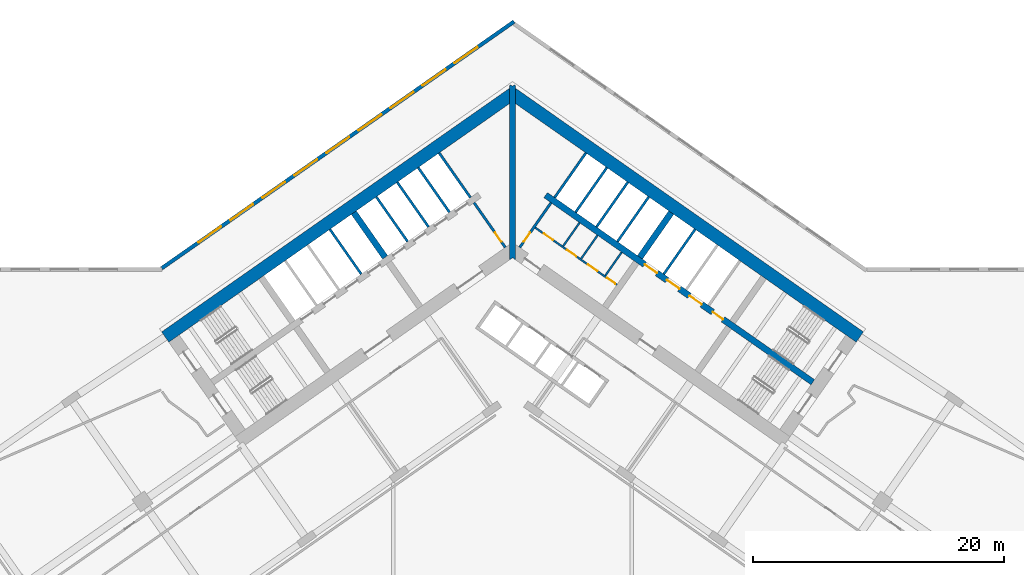
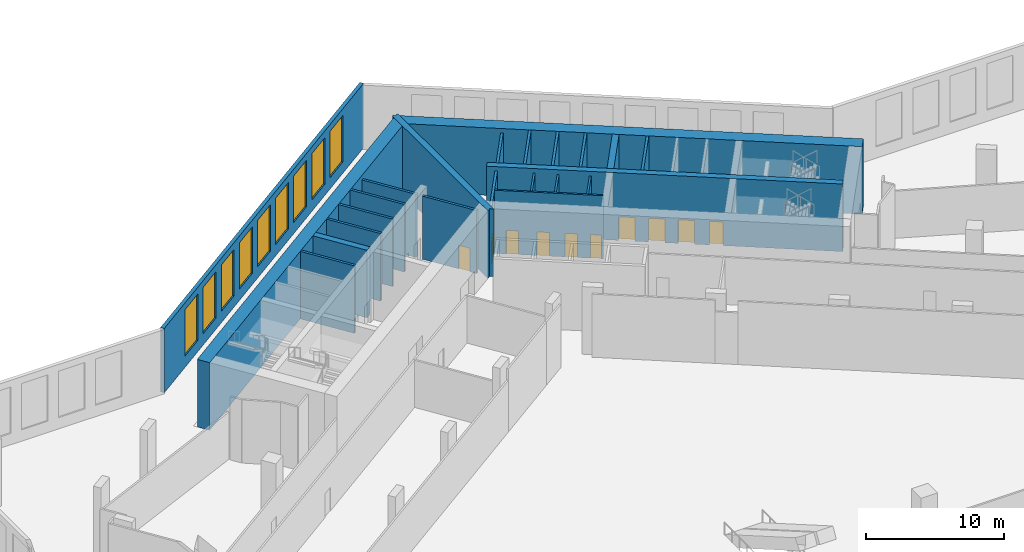
# One storey, part 11 of 25: 23 walls, 10 doors, 9 windows, 19 openings.
"""IFC4 building model written with IfcOpenShell, lengths in metres."""

from ifc_helpers import new_model, si_unit, direction, frame, frame_2d, origin, place, context, subcontext, project, spatial, polyline, rectangle, outline, extrude, material, layer, layer_set, type_object, element, fill, save


model = new_model("IFC4")

# Units and contexts
model_context = context("Model", 3, precision=1e-05, world=origin(), true_north=direction((0.0, 1.0)))
body_context = subcontext(model_context, "Body", "Model", "MODEL_VIEW")
ifc_project = project(units=[si_unit("LENGTHUNIT", "METRE"), si_unit("AREAUNIT", "SQUARE_METRE"), si_unit("VOLUMEUNIT", "CUBIC_METRE"), si_unit("PLANEANGLEUNIT", "RADIAN"), si_unit("MASSUNIT", "GRAM", prefix="KILO")], contexts=[model_context])

# Site, building, storey
site_placement = place(None, origin())
site = spatial("IfcSite", under=ifc_project, at=site_placement, CompositionType="ELEMENT")
building_placement = place(site_placement, origin())
building = spatial("IfcBuilding", under=site, at=building_placement, Name="Tel Ilan Convention Tower", CompositionType="ELEMENT")
storey_placement = place(building_placement, frame((0.0, 0.0, 26.0)))
storey = spatial("IfcBuildingStorey", under=building, at=storey_placement, Name="L03", CompositionType="ELEMENT", Elevation=26.0)

# Wall, openings, doors
ifc_material_1 = material(Name="Gypsum Plasterboard on Steel Stud", Category="steel")
ifc_layer_1 = layer(ifc_material_1, 0.14990234375)
ifc_layer_set_1 = layer_set([ifc_layer_1], Name="Core Room Partition Wall 150 mm EI 60")
wall_type_1 = type_object("IfcWallType", Name="Core Room Partition Wall 150 mm EI 60", PredefinedType="PARTITIONING", material=ifc_layer_set_1)
wall_1_placement = place(storey_placement, frame((1.802490234375, 1.179443359375, 0.0), z_axis=(0.0, 0.0, 1.0), x_axis=(0.819142461705, -0.573590121456, 0.0)))
wall_1 = element("IfcWall", 1, at=wall_1_placement, inside=storey, type_object=wall_type_1, Name="L03 core wall wc-h1", PredefinedType="PARTITIONING", context=body_context, shape_type="SweptSolid", body=[
    extrude(rectangle(XDim=7.949951171875, YDim=0.14990234375, at=frame_2d((3.97509765625, 0.0))), origin(), (0.0, 0.0, 1.0), 5.60009765625),
])
opening_1_placement = place(wall_1_placement, frame((0.85009765625, 0.0, 0.0)))
opening_1 = element("IfcOpeningElement", 2, at=opening_1_placement, cuts=wall_1, Name="Opening CD0611", PredefinedType="OPENING", context=body_context, shape_type="SweptSolid", body=[
    extrude(rectangle(XDim=0.89990234375, YDim=2.10009765625, at=frame_2d((0.449951171875, 1.050048828125))), frame((0.0, 0.0849609375, 0.0), z_axis=(0.0, -1.0, 0.0), x_axis=(1.0, 0.0, 0.0)), (0.0, 0.0, 1.0), 0.169921875),
])
opening_2_placement = place(wall_1_placement, frame((3.10009765625, 0.0, 0.0)))
opening_2 = element("IfcOpeningElement", 3, at=opening_2_placement, cuts=wall_1, Name="Opening CD0608", PredefinedType="OPENING", context=body_context, shape_type="SweptSolid", body=[
    extrude(rectangle(XDim=0.89990234375, YDim=2.10009765625, at=frame_2d((0.449951171875, 1.050048828125))), frame((0.0, 0.0849609375, 0.0), z_axis=(0.0, -1.0, 0.0), x_axis=(1.0, 0.0, 0.0)), (0.0, 0.0, 1.0), 0.169921875),
])
opening_3_placement = place(wall_1_placement, frame((5.14990234375, 0.0, 0.0)))
opening_3 = element("IfcOpeningElement", 4, at=opening_3_placement, cuts=wall_1, Name="Opening CD0610", PredefinedType="OPENING", context=body_context, shape_type="SweptSolid", body=[
    extrude(rectangle(XDim=0.89990234375, YDim=2.10009765625, at=frame_2d((0.449951171875, 1.050048828125))), frame((0.0, 0.0849609375, 0.0), z_axis=(0.0, -1.0, 0.0), x_axis=(1.0, 0.0, 0.0)), (0.0, 0.0, 1.0), 0.169921875),
])
opening_4_placement = place(wall_1_placement, frame((7.0, 0.0, 0.0)))
opening_4 = element("IfcOpeningElement", 5, at=opening_4_placement, cuts=wall_1, Name="Opening CD0609", PredefinedType="OPENING", context=body_context, shape_type="SweptSolid", body=[
    extrude(rectangle(XDim=0.800048828125, YDim=2.10009765625, at=frame_2d((0.39990234375, 1.050048828125))), frame((0.0, 0.0849609375, 0.0), z_axis=(0.0, -1.0, 0.0), x_axis=(1.0, 0.0, 0.0)), (0.0, 0.0, 1.0), 0.169921875),
])
ifc_material_2 = material(Name="Galvanised Steel Door Leaf", Category="steel")
door_type_1 = type_object("IfcDoorType", Name="Store Door 800 x 2100 FD60", OperationType="NOTDEFINED", PredefinedType="DOOR", material=ifc_material_2)
door_1_placement = place(opening_4_placement, origin())
door_1 = element("IfcDoor", 6, at=door_1_placement, inside=storey, type_object=door_type_1, Name="Cleaner's store door", OperationType="SINGLE_SWING_RIGHT", OverallHeight=2.10009765625, OverallWidth=0.800048828125, PredefinedType="DOOR", context=body_context, shape_type="SweptSolid", body=[
    extrude(rectangle(XDim=0.800048828125, YDim=2.10009765625, at=frame_2d((0.39990234375, 1.050048828125))), frame((0.0, 0.02490234375, 0.0), z_axis=(0.0, -1.0, 0.0), x_axis=(1.0, 0.0, 0.0)), (0.0, 0.0, 1.0), 0.050048828125),
])
fill(opening_4, door_1)
ifc_material_3 = material(Name="Laminated Timber Door Leaf", Category="wood")
door_type_2 = type_object("IfcDoorType", Name="Toilet Door 900 x 2100 FD30S", OperationType="NOTDEFINED", PredefinedType="DOOR", material=ifc_material_3)
door_2_placement = place(opening_1_placement, origin())
door_2 = element("IfcDoor", 7, at=door_2_placement, inside=storey, type_object=door_type_2, Name="Women's WC door", OperationType="SINGLE_SWING_RIGHT", OverallHeight=2.10009765625, OverallWidth=0.89990234375, PredefinedType="DOOR", context=body_context, shape_type="SweptSolid", body=[
    extrude(rectangle(XDim=0.89990234375, YDim=2.10009765625, at=frame_2d((0.449951171875, 1.050048828125))), frame((0.0, 0.02490234375, 0.0), z_axis=(0.0, -1.0, 0.0), x_axis=(1.0, 0.0, 0.0)), (0.0, 0.0, 1.0), 0.050048828125),
])
fill(opening_1, door_2)
door_3_placement = place(opening_2_placement, origin())
door_3 = element("IfcDoor", 8, at=door_3_placement, inside=storey, type_object=door_type_2, Name="Accessible WC door", OperationType="SINGLE_SWING_RIGHT", OverallHeight=2.10009765625, OverallWidth=0.89990234375, PredefinedType="DOOR", context=body_context, shape_type="SweptSolid", body=[
    extrude(rectangle(XDim=0.89990234375, YDim=2.10009765625, at=frame_2d((0.449951171875, 1.050048828125))), frame((0.0, 0.02490234375, 0.0), z_axis=(0.0, -1.0, 0.0), x_axis=(1.0, 0.0, 0.0)), (0.0, 0.0, 1.0), 0.050048828125),
])
fill(opening_2, door_3)
door_4_placement = place(opening_3_placement, origin())
door_4 = element("IfcDoor", 9, at=door_4_placement, inside=storey, type_object=door_type_2, Name="Men's WC door", OperationType="SINGLE_SWING_RIGHT", OverallHeight=2.10009765625, OverallWidth=0.89990234375, PredefinedType="DOOR", context=body_context, shape_type="SweptSolid", body=[
    extrude(rectangle(XDim=0.89990234375, YDim=2.10009765625, at=frame_2d((0.449951171875, 1.050048828125))), frame((0.0, 0.02490234375, 0.0), z_axis=(0.0, -1.0, 0.0), x_axis=(1.0, 0.0, 0.0)), (0.0, 0.0, 1.0), 0.050048828125),
])
fill(opening_3, door_4)

# Walls
for number, where, z_axis, x_axis, name in (
    (10, (4.03662109375, -0.29345703125, 0.0), (0.0, 0.0, 1.0), (0.573599181114, 0.819136117764, 0.0), "L03 core wall wc-v0"),
    (11, (5.47021484375, -1.297119140625, 0.0), (0.0, 0.0, 1.0), (0.573599181114, 0.819136117764, 0.0), "L03 core wall wc-v1"),
    (12, (7.395263671875, -2.64501953125, 0.0), (0.0, 0.0, 1.0), (0.573599181114, 0.819136117764, 0.0), "L03 core wall wc-v2"),
):
    element("IfcWall", number, at=place(storey_placement, frame(where, z_axis=z_axis, x_axis=x_axis)), inside=storey, type_object=wall_type_1, Name=name, PredefinedType="PARTITIONING", context=body_context, shape_type="SweptSolid", body=[
        extrude(rectangle(XDim=2.27490234375, YDim=0.14990234375, at=frame_2d((1.137451171875, 0.0))), origin(), (0.0, 0.0, 1.0), 5.60009765625),
    ])

# Wall, opening, door
ifc_material_4 = material(Name="Concrete C30/37", Category="concrete")
ifc_layer_2 = layer(ifc_material_4, 0.199951171875)
ifc_layer_set_2 = layer_set([ifc_layer_2], Name="Core Service Room Wall 200 mm C30/37")
wall_type_2 = type_object("IfcWallType", Name="Core Service Room Wall 200 mm C30/37", PredefinedType="SOLIDWALL", material=ifc_layer_set_2)
wall_2_placement = place(storey_placement, frame((-0.573486328125, -0.401611328125, 0.0), z_axis=(0.0, 0.0, 1.0), x_axis=(-0.57356780395, 0.819158088694, 0.0)))
wall_2 = element("IfcWall", 13, at=wall_2_placement, inside=storey, type_object=wall_type_2, Name="L03 core wall apex-W", PredefinedType="SOLIDWALL", context=body_context, shape_type="SweptSolid", body=[
    extrude(rectangle(XDim=4.35009765625, YDim=0.199951171875, at=frame_2d((2.175048828125, 0.0))), origin(), (0.0, 0.0, 1.0), 5.60009765625),
])
opening_5_placement = place(wall_2_placement, frame((0.550048828125, 0.0, 0.0)))
opening_5 = element("IfcOpeningElement", 14, at=opening_5_placement, cuts=wall_2, Name="Opening CD0602", PredefinedType="OPENING", context=body_context, shape_type="SweptSolid", body=[
    extrude(rectangle(XDim=0.89990234375, YDim=2.10009765625, at=frame_2d((0.449951171875, 1.050048828125))), frame((0.0, 0.10986328125, 0.0), z_axis=(0.0, -1.0, 0.0), x_axis=(1.0, 0.0, 0.0)), (0.0, 0.0, 1.0), 0.219970703125),
])
ifc_material_5 = material(Name="Galvanised Steel Door Leaf", Category="steel")
door_type_3 = type_object("IfcDoorType", Name="Service Room Door 900 x 2100 FD60", OperationType="NOTDEFINED", PredefinedType="DOOR", material=ifc_material_5)
door_5_placement = place(opening_5_placement, origin())
door_5 = element("IfcDoor", 15, at=door_5_placement, inside=storey, type_object=door_type_3, Name="Telecom Room door", OperationType="SINGLE_SWING_RIGHT", OverallHeight=2.10009765625, OverallWidth=0.89990234375, PredefinedType="DOOR", context=body_context, shape_type="SweptSolid", body=[
    extrude(rectangle(XDim=0.89990234375, YDim=2.10009765625, at=frame_2d((0.449951171875, 1.050048828125))), frame((0.0, 0.02490234375, 0.0), z_axis=(0.0, -1.0, 0.0), x_axis=(1.0, 0.0, 0.0)), (0.0, 0.0, 1.0), 0.050048828125),
])
fill(opening_5, door_5)

# Wall
wall_3_placement = place(storey_placement, frame((-3.355224609375, 3.5712890625, 0.0), z_axis=(0.0, 0.0, 1.0), x_axis=(-0.57356780395, 0.819158088694, 0.0)))
element("IfcWall", 16, at=wall_3_placement, inside=storey, type_object=wall_type_2, Name="L03 core wall apex-W-b", PredefinedType="SOLIDWALL", context=body_context, shape_type="SweptSolid", body=[
    extrude(rectangle(XDim=4.35009765625, YDim=0.199951171875, at=frame_2d((2.175048828125, 0.0))), origin(), (0.0, 0.0, 1.0), 5.60009765625),
])

# Wall, opening, door
wall_4_placement = place(storey_placement, frame((0.573486328125, -0.401611328125, 0.0), z_axis=(0.0, 0.0, 1.0), x_axis=(0.57356780395, 0.819158088694, 0.0)))
wall_4 = element("IfcWall", 17, at=wall_4_placement, inside=storey, type_object=wall_type_2, Name="L03 core wall apex-E", PredefinedType="SOLIDWALL", context=body_context, shape_type="SweptSolid", body=[
    extrude(rectangle(XDim=4.35009765625, YDim=0.199951171875, at=frame_2d((2.175048828125, 0.0))), origin(), (0.0, 0.0, 1.0), 5.60009765625),
])
opening_6_placement = place(wall_4_placement, frame((0.550048828125, 0.0, 0.0)))
opening_6 = element("IfcOpeningElement", 18, at=opening_6_placement, cuts=wall_4, Name="Opening CD0601", PredefinedType="OPENING", context=body_context, shape_type="SweptSolid", body=[
    extrude(rectangle(XDim=0.89990234375, YDim=2.10009765625, at=frame_2d((0.449951171875, 1.050048828125))), frame((0.0, 0.10986328125, 0.0), z_axis=(0.0, -1.0, 0.0), x_axis=(1.0, 0.0, 0.0)), (0.0, 0.0, 1.0), 0.219970703125),
])
door_6_placement = place(opening_6_placement, origin())
door_6 = element("IfcDoor", 19, at=door_6_placement, inside=storey, type_object=door_type_3, Name="Data Room door", OperationType="SINGLE_SWING_RIGHT", OverallHeight=2.10009765625, OverallWidth=0.89990234375, PredefinedType="DOOR", context=body_context, shape_type="SweptSolid", body=[
    extrude(rectangle(XDim=0.89990234375, YDim=2.10009765625, at=frame_2d((0.449951171875, 1.050048828125))), frame((0.0, 0.02490234375, 0.0), z_axis=(0.0, -1.0, 0.0), x_axis=(1.0, 0.0, 0.0)), (0.0, 0.0, 1.0), 0.050048828125),
])
fill(opening_6, door_6)

# Walls
wall_5_placement = place(storey_placement, frame((3.355224609375, 3.5712890625, 0.0), z_axis=(0.0, 0.0, 1.0), x_axis=(0.57356780395, 0.819158088694, 0.0)))
element("IfcWall", 20, at=wall_5_placement, inside=storey, type_object=wall_type_2, Name="L03 core wall apex-E-b", PredefinedType="SOLIDWALL", context=body_context, shape_type="SweptSolid", body=[
    extrude(rectangle(XDim=4.35009765625, YDim=0.199951171875, at=frame_2d((2.175048828125, 0.0))), origin(), (0.0, 0.0, 1.0), 5.60009765625),
])
ifc_material_6 = material(Name="Concrete C60/75", Category="concrete")
ifc_layer_3 = layer(ifc_material_6, 1.0)
ifc_layer_set_3 = layer_set([ifc_layer_3], Name="Core Shear Wall 1000 mm C60/75")
wall_type_3 = type_object("IfcWallType", Name="Core Shear Wall 1000 mm C60/75", PredefinedType="SHEAR", material=ifc_layer_set_3)
wall_6_placement = place(storey_placement, frame((0.036865234375, 11.8671875, 0.0), z_axis=(0.0, 0.0, 1.0), x_axis=(-0.819155306259, -0.573571777746, 0.0)))
element("IfcWall", 21, at=wall_6_placement, inside=storey, type_object=wall_type_3, Name="L03 core wall W-back", PredefinedType="SHEAR", context=body_context, shape_type="SweptSolid", body=[
    extrude(outline(polyline([(33.8369140625, 0.5), (0.7001953125, 0.499755859375), (0.0, -0.5), (33.8369140625, -0.5), (33.8369140625, 0.5)])), origin(), (0.0, 0.0, 1.0), 6.0),
])
wall_7_placement = place(storey_placement, frame((-0.036865234375, 11.8671875, 0.0), z_axis=(0.0, 0.0, 1.0), x_axis=(0.819155306259, -0.573571777746, 0.0)))
element("IfcWall", 22, at=wall_7_placement, inside=storey, type_object=wall_type_3, Name="L03 core wall E-back", PredefinedType="SHEAR", context=body_context, shape_type="SweptSolid", body=[
    extrude(outline(polyline([(33.8369140625, 0.5), (0.0, 0.5), (0.7001953125, -0.499755859375), (33.8369140625, -0.5), (33.8369140625, 0.5)])), origin(), (0.0, 0.0, 1.0), 6.0),
])
ifc_material_7 = material(Name="Concrete C60/75", Category="concrete")
ifc_layer_4 = layer(ifc_material_7, 0.5)
ifc_layer_set_4 = layer_set([ifc_layer_4], Name="Core Shear Wall 500 mm C60/75")
wall_type_4 = type_object("IfcWallType", Name="Core Shear Wall 500 mm C60/75", PredefinedType="SHEAR", material=ifc_layer_set_4)
for number, where, z_axis, x_axis, name in (
    (23, (-10.154296875, -1.189208984375, 0.0), (0.0, 0.0, 1.0), (-0.573594173421, 0.819139624372, 0.0), "L03 core wall W-cross1-2"),
    (24, (10.154296875, -1.189208984375, 0.0), (0.0, 0.0, 1.0), (0.573594173421, 0.819139624372, 0.0), "L03 core wall E-cross1-2"),
):
    element("IfcWall", number, at=place(storey_placement, frame(where, z_axis=z_axis, x_axis=x_axis)), inside=storey, type_object=wall_type_4, Name=name, PredefinedType="SHEAR", context=body_context, shape_type="SweptSolid", body=[
        extrude(outline(polyline([(4.349853515625, -0.25), (4.349853515625, 0.25), (-0.000244140625, 0.25), (-0.000244140625, -0.25), (4.349853515625, -0.25)])), origin(), (0.0, 0.0, 1.0), 6.0),
    ])

# Wall, openings, doors
wall_8_placement = place(storey_placement, frame((2.638427734375, 3.76806640625, 0.0), z_axis=(0.0, 0.0, 1.0), x_axis=(0.819148977158, -0.573580816643, 0.0)))
wall_8 = element("IfcWall", 25, at=wall_8_placement, inside=storey, type_object=wall_type_4, Name="L03 core wall E-spine", PredefinedType="SHEAR", context=body_context, shape_type="SweptSolid", body=[
    extrude(outline(polyline([(0.0, 0.25), (0.0, -0.25), (26.0, -0.249755859375), (26.0, 0.250244140625), (0.0, 0.25)])), origin(), (0.0, 0.0, 1.0), 6.0),
])
opening_7_placement = place(wall_8_placement, frame((9.637451171875, 0.0, 0.0)))
opening_7 = element("IfcOpeningElement", 26, at=opening_7_placement, cuts=wall_8, Name="Opening LD0601", PredefinedType="OPENING", context=body_context, shape_type="SweptSolid", body=[
    extrude(rectangle(XDim=1.199951171875, YDim=2.10009765625, at=frame_2d((0.60009765625, 1.050048828125))), frame((0.0, 0.260009765625, 0.0), z_axis=(0.0, -1.0, 0.0), x_axis=(1.0, 0.0, 0.0)), (0.0, 0.0, 1.0), 0.52001953125),
])
opening_8_placement = place(wall_8_placement, frame((11.8125, 0.0, 0.0)))
opening_8 = element("IfcOpeningElement", 27, at=opening_8_placement, cuts=wall_8, Name="Opening LD0602", PredefinedType="OPENING", context=body_context, shape_type="SweptSolid", body=[
    extrude(rectangle(XDim=1.199951171875, YDim=2.10009765625, at=frame_2d((0.60009765625, 1.050048828125))), frame((0.0, 0.260009765625, 0.0), z_axis=(0.0, -1.0, 0.0), x_axis=(1.0, 0.0, 0.0)), (0.0, 0.0, 1.0), 0.52001953125),
])
opening_9_placement = place(wall_8_placement, frame((13.987548828125, 0.0, 0.0)))
opening_9 = element("IfcOpeningElement", 28, at=opening_9_placement, cuts=wall_8, Name="Opening LD0603", PredefinedType="OPENING", context=body_context, shape_type="SweptSolid", body=[
    extrude(rectangle(XDim=1.199951171875, YDim=2.10009765625, at=frame_2d((0.60009765625, 1.050048828125))), frame((0.0, 0.260009765625, 0.0), z_axis=(0.0, -1.0, 0.0), x_axis=(1.0, 0.0, 0.0)), (0.0, 0.0, 1.0), 0.52001953125),
])
opening_10_placement = place(wall_8_placement, frame((16.262451171875, 0.0, 0.0)))
opening_10 = element("IfcOpeningElement", 29, at=opening_10_placement, cuts=wall_8, Name="Opening CD0607", PredefinedType="OPENING", context=body_context, shape_type="SweptSolid", body=[
    extrude(rectangle(XDim=1.0, YDim=2.10009765625, at=frame_2d((0.5, 1.050048828125))), frame((0.0, 0.260009765625, 0.0), z_axis=(0.0, -1.0, 0.0), x_axis=(1.0, 0.0, 0.0)), (0.0, 0.0, 1.0), 0.52001953125),
])
ifc_material_8 = material(Name="Stainless Steel Sliding Door Leaf", Category="steel")
door_type_4 = type_object("IfcDoorType", Name="Lift Landing Door 1200 x 2100 FD120", OperationType="NOTDEFINED", PredefinedType="DOOR", material=ifc_material_8)
door_7_placement = place(opening_7_placement, origin())
door_7 = element("IfcDoor", 30, at=door_7_placement, inside=storey, type_object=door_type_4, Name="Lift FL1 landing door", OperationType="SLIDING_TO_LEFT", OverallHeight=2.10009765625, OverallWidth=1.199951171875, PredefinedType="DOOR", context=body_context, shape_type="SweptSolid", body=[
    extrude(rectangle(XDim=1.199951171875, YDim=2.10009765625, at=frame_2d((0.60009765625, 1.050048828125))), frame((0.0, 0.02490234375, 0.0), z_axis=(0.0, -1.0, 0.0), x_axis=(1.0, 0.0, 0.0)), (0.0, 0.0, 1.0), 0.050048828125),
])
fill(opening_7, door_7)
door_8_placement = place(opening_8_placement, origin())
door_8 = element("IfcDoor", 31, at=door_8_placement, inside=storey, type_object=door_type_4, Name="Lift FL2 landing door", OperationType="SLIDING_TO_RIGHT", OverallHeight=2.10009765625, OverallWidth=1.199951171875, PredefinedType="DOOR", context=body_context, shape_type="SweptSolid", body=[
    extrude(rectangle(XDim=1.199951171875, YDim=2.10009765625, at=frame_2d((0.60009765625, 1.050048828125))), frame((0.0, 0.02490234375, 0.0), z_axis=(0.0, -1.0, 0.0), x_axis=(1.0, 0.0, 0.0)), (0.0, 0.0, 1.0), 0.050048828125),
])
fill(opening_8, door_8)
door_9_placement = place(opening_9_placement, origin())
door_9 = element("IfcDoor", 32, at=door_9_placement, inside=storey, type_object=door_type_4, Name="Lift FL3 landing door", OperationType="SLIDING_TO_LEFT", OverallHeight=2.10009765625, OverallWidth=1.199951171875, PredefinedType="DOOR", context=body_context, shape_type="SweptSolid", body=[
    extrude(rectangle(XDim=1.199951171875, YDim=2.10009765625, at=frame_2d((0.60009765625, 1.050048828125))), frame((0.0, 0.02490234375, 0.0), z_axis=(0.0, -1.0, 0.0), x_axis=(1.0, 0.0, 0.0)), (0.0, 0.0, 1.0), 0.050048828125),
])
fill(opening_9, door_9)
ifc_material_9 = material(Name="Galvanised Steel Door Leaf", Category="steel")
door_type_5 = type_object("IfcDoorType", Name="Service Room Door 1000 x 2100 FD60", OperationType="NOTDEFINED", PredefinedType="DOOR", material=ifc_material_9)
door_10_placement = place(opening_10_placement, origin())
door_10 = element("IfcDoor", 33, at=door_10_placement, inside=storey, type_object=door_type_5, Name="Plant Room door", OperationType="SINGLE_SWING_RIGHT", OverallHeight=2.10009765625, OverallWidth=1.0, PredefinedType="DOOR", context=body_context, shape_type="SweptSolid", body=[
    extrude(rectangle(XDim=1.0, YDim=2.10009765625, at=frame_2d((0.5, 1.050048828125))), frame((0.0, 0.02490234375, 0.0), z_axis=(0.0, -1.0, 0.0), x_axis=(1.0, 0.0, 0.0)), (0.0, 0.0, 1.0), 0.050048828125),
])
fill(opening_10, door_10)

# Walls
wall_9_placement = place(storey_placement, frame((0.0, -1.395751953125, 0.0), z_axis=(0.0, 0.0, 1.0), x_axis=(0.0, 1.0, 0.0)))
element("IfcWall", 34, at=wall_9_placement, inside=storey, type_object=wall_type_4, Name="L03 core wall K-central", PredefinedType="SHEAR", context=body_context, shape_type="SweptSolid", body=[
    extrude(outline(polyline([(0.0, -0.25), (0.175048828125, -0.25), (1.220703125, -0.25), (12.451904296875, -0.25), (13.84765625, -0.25), (13.85693359375, -0.25), (13.96826171875, -0.172119140625), (13.84765625, 0.0), (13.96826171875, 0.172119140625), (13.85693359375, 0.25), (13.84765625, 0.25), (12.451904296875, 0.25), (1.220703125, 0.25), (0.175048828125, 0.25), (0.0, 0.25), (0.175048828125, 0.0), (0.0, -0.25)])), origin(), (0.0, 0.0, 1.0), 6.0),
])
ifc_material_10 = material(Name="Concrete C30/37", Category="concrete")
ifc_layer_5 = layer(ifc_material_10, 0.199951171875)
ifc_layer_set_5 = layer_set([ifc_layer_5], Name="Lift Shaft Wall 200 mm C30/37")
wall_type_5 = type_object("IfcWallType", Name="Lift Shaft Wall 200 mm C30/37", PredefinedType="SOLIDWALL", material=ifc_layer_set_5)
wall_10_placement = place(storey_placement, frame((-5.0244140625, 2.402587890625, 0.0), z_axis=(0.0, 0.0, 1.0), x_axis=(-0.573530143085, 0.819184457233, 0.0)))
element("IfcWall", 35, at=wall_10_placement, inside=storey, type_object=wall_type_5, Name="L03 core wall bank-W1-p0", PredefinedType="SOLIDWALL", context=body_context, shape_type="SweptSolid", body=[
    extrude(rectangle(XDim=4.35009765625, YDim=0.199951171875, at=frame_2d((2.175048828125, 0.0))), origin(), (0.0, 0.0, 1.0), 6.0),
])
for number, where, z_axis, x_axis, name in (
    (36, (-6.693359375, 1.234130859375, 0.0), (0.0, 0.0, 1.0), (-0.573594173421, 0.819139624372, 0.0), "L03 core wall bank-W1-p1"),
    (37, (-8.3623046875, 0.0654296875, 0.0), (0.0, 0.0, 1.0), (-0.573594173421, 0.819139624372, 0.0), "L03 core wall bank-W1-p2"),
    (38, (-12.05859375, -2.52294921875, 0.0), (0.0, 0.0, 1.0), (-0.573594173421, 0.819139624372, 0.0), "L03 core wall bank-W2-p0"),
):
    element("IfcWall", number, at=place(storey_placement, frame(where, z_axis=z_axis, x_axis=x_axis)), inside=storey, type_object=wall_type_5, Name=name, PredefinedType="SOLIDWALL", context=body_context, shape_type="SweptSolid", body=[
        extrude(rectangle(XDim=4.349853515625, YDim=0.199951171875, at=frame_2d((2.1748046875, 0.0))), origin(), (0.0, 0.0, 1.0), 6.0),
    ])
wall_11_placement = place(storey_placement, frame((5.0244140625, 2.402587890625, 0.0), z_axis=(0.0, 0.0, 1.0), x_axis=(0.573530143085, 0.819184457233, 0.0)))
element("IfcWall", 39, at=wall_11_placement, inside=storey, type_object=wall_type_5, Name="L03 core wall bank-E1-p0", PredefinedType="SOLIDWALL", context=body_context, shape_type="SweptSolid", body=[
    extrude(rectangle(XDim=4.35009765625, YDim=0.199951171875, at=frame_2d((2.175048828125, 0.0))), origin(), (0.0, 0.0, 1.0), 6.0),
])
for number, where, z_axis, x_axis, name in (
    (40, (6.693359375, 1.234130859375, 0.0), (0.0, 0.0, 1.0), (0.573594173421, 0.819139624372, 0.0), "L03 core wall bank-E1-p1"),
    (41, (8.3623046875, 0.0654296875, 0.0), (0.0, 0.0, 1.0), (0.573594173421, 0.819139624372, 0.0), "L03 core wall bank-E1-p2"),
    (42, (12.05859375, -2.52294921875, 0.0), (0.0, 0.0, 1.0), (0.573594173421, 0.819139624372, 0.0), "L03 core wall bank-E2-p0"),
):
    element("IfcWall", number, at=place(storey_placement, frame(where, z_axis=z_axis, x_axis=x_axis)), inside=storey, type_object=wall_type_5, Name=name, PredefinedType="SOLIDWALL", context=body_context, shape_type="SweptSolid", body=[
        extrude(rectangle(XDim=4.349853515625, YDim=0.199951171875, at=frame_2d((2.1748046875, 0.0))), origin(), (0.0, 0.0, 1.0), 6.0),
    ])

# Wall, openings, windows
ifc_material_11 = material(Name="Bronze aluminium cladding panel on insulated steel frame", Category="steel")
ifc_layer_6 = layer(ifc_material_11, 0.300048828125)
ifc_layer_set_6 = layer_set([ifc_layer_6], Name="PODIUM CLADDING WALL 300")
wall_type_6 = type_object("IfcWallType", Name="PODIUM CLADDING WALL 300", PredefinedType="SOLIDWALL", material=ifc_layer_set_6)
wall_12_placement = place(storey_placement, frame((-27.966064453125, -2.06396484375, 0.0), z_axis=(0.0, 0.0, 1.0), x_axis=(0.819149627982, 0.57357988718, 0.0)))
wall_12 = element("IfcWall", 43, at=wall_12_placement, inside=storey, type_object=wall_type_6, Name="Podium cladding wall", PredefinedType="SOLIDWALL", context=body_context, shape_type="SweptSolid", body=[
    extrude(rectangle(XDim=34.290283203125, YDim=0.300048828125, at=frame_2d((17.14501953125, 0.0))), origin(), (0.0, 0.0, 1.0), 5.719970703125),
])
opening_11_placement = place(wall_12_placement, frame((3.5673828125, 0.0, 1.0)))
opening_11 = element("IfcOpeningElement", 44, at=opening_11_placement, cuts=wall_12, Name="Opening W-06.031", PredefinedType="OPENING", context=body_context, shape_type="SweptSolid", body=[
    extrude(rectangle(XDim=2.21728515625, YDim=4.1201171875, at=frame_2d((1.108642578125, 2.06005859375))), frame((0.0, 0.159912109375, 0.0), z_axis=(0.0, -1.0, 0.0), x_axis=(1.0, 0.0, 0.0)), (0.0, 0.0, 1.0), 0.320068359375),
])
opening_12_placement = place(wall_12_placement, frame((6.6845703125, 0.0, 1.0)))
opening_12 = element("IfcOpeningElement", 45, at=opening_12_placement, cuts=wall_12, Name="Opening W-06.032", PredefinedType="OPENING", context=body_context, shape_type="SweptSolid", body=[
    extrude(rectangle(XDim=2.21728515625, YDim=4.1201171875, at=frame_2d((1.108642578125, 2.06005859375))), frame((0.0, 0.159912109375, 0.0), z_axis=(0.0, -1.0, 0.0), x_axis=(1.0, 0.0, 0.0)), (0.0, 0.0, 1.0), 0.320068359375),
])
opening_13_placement = place(wall_12_placement, frame((9.802001953125, 0.0, 1.0)))
opening_13 = element("IfcOpeningElement", 46, at=opening_13_placement, cuts=wall_12, Name="Opening W-06.033", PredefinedType="OPENING", context=body_context, shape_type="SweptSolid", body=[
    extrude(rectangle(XDim=2.21728515625, YDim=4.1201171875, at=frame_2d((1.108642578125, 2.06005859375))), frame((0.0, 0.159912109375, 0.0), z_axis=(0.0, -1.0, 0.0), x_axis=(1.0, 0.0, 0.0)), (0.0, 0.0, 1.0), 0.320068359375),
])
opening_14_placement = place(wall_12_placement, frame((12.919189453125, 0.0, 1.0)))
opening_14 = element("IfcOpeningElement", 47, at=opening_14_placement, cuts=wall_12, Name="Opening W-06.034", PredefinedType="OPENING", context=body_context, shape_type="SweptSolid", body=[
    extrude(rectangle(XDim=2.21728515625, YDim=4.1201171875, at=frame_2d((1.108642578125, 2.06005859375))), frame((0.0, 0.159912109375, 0.0), z_axis=(0.0, -1.0, 0.0), x_axis=(1.0, 0.0, 0.0)), (0.0, 0.0, 1.0), 0.320068359375),
])
opening_15_placement = place(wall_12_placement, frame((16.03662109375, 0.0, 1.0)))
opening_15 = element("IfcOpeningElement", 48, at=opening_15_placement, cuts=wall_12, Name="Opening W-06.035", PredefinedType="OPENING", context=body_context, shape_type="SweptSolid", body=[
    extrude(rectangle(XDim=2.21728515625, YDim=4.1201171875, at=frame_2d((1.108642578125, 2.06005859375))), frame((0.0, 0.159912109375, 0.0), z_axis=(0.0, -1.0, 0.0), x_axis=(1.0, 0.0, 0.0)), (0.0, 0.0, 1.0), 0.320068359375),
])
opening_16_placement = place(wall_12_placement, frame((19.15380859375, 0.0, 1.0)))
opening_16 = element("IfcOpeningElement", 49, at=opening_16_placement, cuts=wall_12, Name="Opening W-06.036", PredefinedType="OPENING", context=body_context, shape_type="SweptSolid", body=[
    extrude(rectangle(XDim=2.21728515625, YDim=4.1201171875, at=frame_2d((1.108642578125, 2.06005859375))), frame((0.0, 0.159912109375, 0.0), z_axis=(0.0, -1.0, 0.0), x_axis=(1.0, 0.0, 0.0)), (0.0, 0.0, 1.0), 0.320068359375),
])
opening_17_placement = place(wall_12_placement, frame((22.27099609375, 0.0, 1.0)))
opening_17 = element("IfcOpeningElement", 50, at=opening_17_placement, cuts=wall_12, Name="Opening W-06.037", PredefinedType="OPENING", context=body_context, shape_type="SweptSolid", body=[
    extrude(rectangle(XDim=2.21728515625, YDim=4.1201171875, at=frame_2d((1.108642578125, 2.06005859375))), frame((0.0, 0.159912109375, 0.0), z_axis=(0.0, -1.0, 0.0), x_axis=(1.0, 0.0, 0.0)), (0.0, 0.0, 1.0), 0.320068359375),
])
opening_18_placement = place(wall_12_placement, frame((25.388427734375, 0.0, 1.0)))
opening_18 = element("IfcOpeningElement", 51, at=opening_18_placement, cuts=wall_12, Name="Opening W-06.038", PredefinedType="OPENING", context=body_context, shape_type="SweptSolid", body=[
    extrude(rectangle(XDim=2.21728515625, YDim=4.1201171875, at=frame_2d((1.108642578125, 2.06005859375))), frame((0.0, 0.159912109375, 0.0), z_axis=(0.0, -1.0, 0.0), x_axis=(1.0, 0.0, 0.0)), (0.0, 0.0, 1.0), 0.320068359375),
])
opening_19_placement = place(wall_12_placement, frame((28.505615234375, 0.0, 1.0)))
opening_19 = element("IfcOpeningElement", 52, at=opening_19_placement, cuts=wall_12, Name="Opening W-06.039", PredefinedType="OPENING", context=body_context, shape_type="SweptSolid", body=[
    extrude(rectangle(XDim=2.21728515625, YDim=4.1201171875, at=frame_2d((1.108642578125, 2.06005859375))), frame((0.0, 0.159912109375, 0.0), z_axis=(0.0, -1.0, 0.0), x_axis=(1.0, 0.0, 0.0)), (0.0, 0.0, 1.0), 0.320068359375),
])
ifc_material_12 = material(Name="Aluminium framed glazing, bronze anodised, tinted glass", Category="aluminium")
window_type = type_object("IfcWindowType", Name="PODIUM WINDOW 2217x4120", PartitioningType="SINGLE_PANEL", PredefinedType="WINDOW", material=ifc_material_12)
window_1_placement = place(opening_11_placement, origin())
window_1 = element("IfcWindow", 53, at=window_1_placement, inside=storey, type_object=window_type, Name="Podium window", OverallHeight=4.1201171875, OverallWidth=2.21728515625, PartitioningType="SINGLE_PANEL", PredefinedType="WINDOW", context=body_context, shape_type="SweptSolid", body=[
    extrude(rectangle(XDim=2.21728515625, YDim=4.1201171875, at=frame_2d((1.108642578125, 2.06005859375))), frame((0.0, 0.030029296875, 0.0), z_axis=(0.0, -1.0, 0.0), x_axis=(1.0, 0.0, 0.0)), (0.0, 0.0, 1.0), 0.06005859375),
])
fill(opening_11, window_1)
window_2_placement = place(opening_12_placement, origin())
window_2 = element("IfcWindow", 54, at=window_2_placement, inside=storey, type_object=window_type, Name="Podium window", OverallHeight=4.1201171875, OverallWidth=2.21728515625, PartitioningType="SINGLE_PANEL", PredefinedType="WINDOW", context=body_context, shape_type="SweptSolid", body=[
    extrude(rectangle(XDim=2.21728515625, YDim=4.1201171875, at=frame_2d((1.108642578125, 2.06005859375))), frame((0.0, 0.030029296875, 0.0), z_axis=(0.0, -1.0, 0.0), x_axis=(1.0, 0.0, 0.0)), (0.0, 0.0, 1.0), 0.06005859375),
])
fill(opening_12, window_2)
window_3_placement = place(opening_13_placement, origin())
window_3 = element("IfcWindow", 55, at=window_3_placement, inside=storey, type_object=window_type, Name="Podium window", OverallHeight=4.1201171875, OverallWidth=2.21728515625, PartitioningType="SINGLE_PANEL", PredefinedType="WINDOW", context=body_context, shape_type="SweptSolid", body=[
    extrude(rectangle(XDim=2.21728515625, YDim=4.1201171875, at=frame_2d((1.108642578125, 2.06005859375))), frame((0.0, 0.030029296875, 0.0), z_axis=(0.0, -1.0, 0.0), x_axis=(1.0, 0.0, 0.0)), (0.0, 0.0, 1.0), 0.06005859375),
])
fill(opening_13, window_3)
window_4_placement = place(opening_14_placement, origin())
window_4 = element("IfcWindow", 56, at=window_4_placement, inside=storey, type_object=window_type, Name="Podium window", OverallHeight=4.1201171875, OverallWidth=2.21728515625, PartitioningType="SINGLE_PANEL", PredefinedType="WINDOW", context=body_context, shape_type="SweptSolid", body=[
    extrude(rectangle(XDim=2.21728515625, YDim=4.1201171875, at=frame_2d((1.108642578125, 2.06005859375))), frame((0.0, 0.030029296875, 0.0), z_axis=(0.0, -1.0, 0.0), x_axis=(1.0, 0.0, 0.0)), (0.0, 0.0, 1.0), 0.06005859375),
])
fill(opening_14, window_4)
window_5_placement = place(opening_15_placement, origin())
window_5 = element("IfcWindow", 57, at=window_5_placement, inside=storey, type_object=window_type, Name="Podium window", OverallHeight=4.1201171875, OverallWidth=2.21728515625, PartitioningType="SINGLE_PANEL", PredefinedType="WINDOW", context=body_context, shape_type="SweptSolid", body=[
    extrude(rectangle(XDim=2.21728515625, YDim=4.1201171875, at=frame_2d((1.108642578125, 2.06005859375))), frame((0.0, 0.030029296875, 0.0), z_axis=(0.0, -1.0, 0.0), x_axis=(1.0, 0.0, 0.0)), (0.0, 0.0, 1.0), 0.06005859375),
])
fill(opening_15, window_5)
window_6_placement = place(opening_16_placement, origin())
window_6 = element("IfcWindow", 58, at=window_6_placement, inside=storey, type_object=window_type, Name="Podium window", OverallHeight=4.1201171875, OverallWidth=2.21728515625, PartitioningType="SINGLE_PANEL", PredefinedType="WINDOW", context=body_context, shape_type="SweptSolid", body=[
    extrude(rectangle(XDim=2.21728515625, YDim=4.1201171875, at=frame_2d((1.108642578125, 2.06005859375))), frame((0.0, 0.030029296875, 0.0), z_axis=(0.0, -1.0, 0.0), x_axis=(1.0, 0.0, 0.0)), (0.0, 0.0, 1.0), 0.06005859375),
])
fill(opening_16, window_6)
window_7_placement = place(opening_17_placement, origin())
window_7 = element("IfcWindow", 59, at=window_7_placement, inside=storey, type_object=window_type, Name="Podium window", OverallHeight=4.1201171875, OverallWidth=2.21728515625, PartitioningType="SINGLE_PANEL", PredefinedType="WINDOW", context=body_context, shape_type="SweptSolid", body=[
    extrude(rectangle(XDim=2.21728515625, YDim=4.1201171875, at=frame_2d((1.108642578125, 2.06005859375))), frame((0.0, 0.030029296875, 0.0), z_axis=(0.0, -1.0, 0.0), x_axis=(1.0, 0.0, 0.0)), (0.0, 0.0, 1.0), 0.06005859375),
])
fill(opening_17, window_7)
window_8_placement = place(opening_18_placement, origin())
window_8 = element("IfcWindow", 60, at=window_8_placement, inside=storey, type_object=window_type, Name="Podium window", OverallHeight=4.1201171875, OverallWidth=2.21728515625, PartitioningType="SINGLE_PANEL", PredefinedType="WINDOW", context=body_context, shape_type="SweptSolid", body=[
    extrude(rectangle(XDim=2.21728515625, YDim=4.1201171875, at=frame_2d((1.108642578125, 2.06005859375))), frame((0.0, 0.030029296875, 0.0), z_axis=(0.0, -1.0, 0.0), x_axis=(1.0, 0.0, 0.0)), (0.0, 0.0, 1.0), 0.06005859375),
])
fill(opening_18, window_8)
window_9_placement = place(opening_19_placement, origin())
window_9 = element("IfcWindow", 61, at=window_9_placement, inside=storey, type_object=window_type, Name="Podium window", OverallHeight=4.1201171875, OverallWidth=2.21728515625, PartitioningType="SINGLE_PANEL", PredefinedType="WINDOW", context=body_context, shape_type="SweptSolid", body=[
    extrude(rectangle(XDim=2.21728515625, YDim=4.1201171875, at=frame_2d((1.108642578125, 2.06005859375))), frame((0.0, 0.030029296875, 0.0), z_axis=(0.0, -1.0, 0.0), x_axis=(1.0, 0.0, 0.0)), (0.0, 0.0, 1.0), 0.06005859375),
])
fill(opening_19, window_9)

save(model, "model.ifc")
